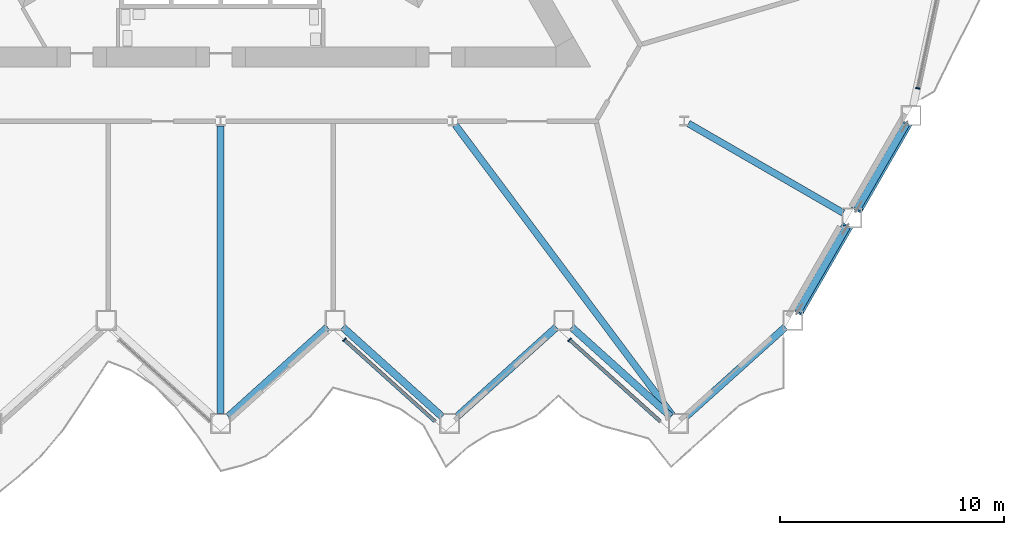
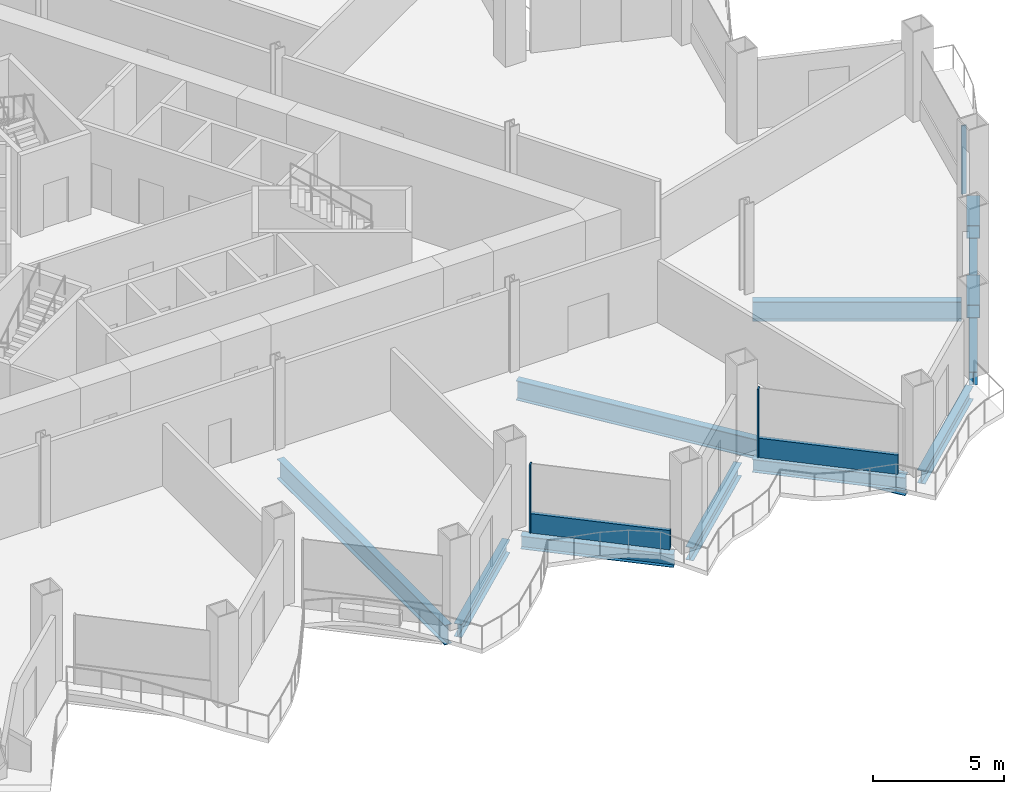
# One storey, part 5 of 21: 10 beams, 7 members, 3 elements without a shape of their own.
"""IFC4 building model written with IfcOpenShell, lengths in metres."""

from ifc_helpers import new_model, si_unit, direction, frame, origin, origin_2d, place, context, subcontext, project, spatial, rectangle, hollow_rectangle, i_section, extrude, material, layer, layer_set, material_profile, profile_set, type_object, element, aggregate, save


model = new_model("IFC4")

# Units and contexts
model_context = context("Model", 3, precision=1e-05, world=origin(), true_north=direction((0.0, 1.0)))
body_context = subcontext(model_context, "Body", "Model", "MODEL_VIEW")
ifc_project = project(units=[si_unit("LENGTHUNIT", "METRE"), si_unit("AREAUNIT", "SQUARE_METRE"), si_unit("VOLUMEUNIT", "CUBIC_METRE"), si_unit("PLANEANGLEUNIT", "RADIAN"), si_unit("MASSUNIT", "GRAM", prefix="KILO")], contexts=[model_context])

# Site, building, storey
site_placement = place(None, origin())
site = spatial("IfcSite", under=ifc_project, at=site_placement, CompositionType="ELEMENT")
building_placement = place(site_placement, origin())
building = spatial("IfcBuilding", under=site, at=building_placement, Name="Cormorant Prow Tower", CompositionType="ELEMENT")
storey_placement = place(building_placement, frame((0.0, 0.0, 120.60009765625)))
storey = spatial("IfcBuildingStorey", under=building, at=storey_placement, Name="L25", CompositionType="ELEMENT", Elevation=120.60009765625)

# Members
ifc_material_1 = material(Name="Structural steel ASTM A500 Gr C", Category="steel")
ifc_material_profile_1 = material_profile(ifc_material_1, hollow_rectangle(XDim=0.508056640625, YDim=0.508056640625, WallThickness=0.014892578125, at=origin_2d()), Name="HSS20x20x5/8")
ifc_profile_set_1 = profile_set([ifc_material_profile_1], Name="Structural steel ASTM A500 Gr C")
member_type_1 = type_object("IfcMemberType", Name="Chamfer brace HSS20x20x5/8", PredefinedType="BRACE", material=ifc_profile_set_1)
for number, where, z_axis, x_axis, name in (
    (1, (27.900634765625, -16.648681640625, 0.7763671875), (-0.467775966243, -0.810228448064, 0.353150828052), (0.866029868417, -0.499992266949, 0.0), "Chamfer brace BR1 at ESE00 L25"),
    (2, (30.535400390625, -12.0849609375, 0.7763671875), (-0.467775966243, -0.810228448064, 0.353150828052), (0.866029868417, -0.499992266949, 0.0), "Chamfer brace BR1 at ESE01 L25"),
):
    element("IfcMember", number, at=place(storey_placement, frame(where, z_axis=z_axis, x_axis=x_axis)), inside=storey, type_object=member_type_1, Name=name, PredefinedType="BRACE", context=body_context, shape_type="SweptSolid", body=[
        extrude(hollow_rectangle(XDim=0.508056640625, YDim=0.508056640625, WallThickness=0.014892578125, at=origin_2d()), origin(), (0.0, 0.0, 1.0), 4.632568359375),
    ])

# Curtain wall, member
ifc_material_2 = material(Name="Aluminium 6063-T6", Category="aluminium")
ifc_layer = layer(ifc_material_2, 0.199951171875)
ifc_layer_set = layer_set([ifc_layer], Name="Aluminium 6063-T6")
curtain_wall_type = type_object("IfcCurtainWallType", Name="Office unitised curtain wall 200", PredefinedType="NOTDEFINED", material=ifc_layer_set)
curtain_wall_1_placement = place(storey_placement, origin())
curtain_wall_1 = element("IfcCurtainWall", 3, at=curtain_wall_1_placement, inside=storey, type_object=curtain_wall_type, Name="Office curtain wall S06", PredefinedType="NOTDEFINED")
ifc_material_3 = material(Name="Aluminium 6063-T6", Category="aluminium")
ifc_material_profile_2 = material_profile(ifc_material_3, rectangle(XDim=0.199951171875, YDim=0.06005859375, at=origin_2d()), Name="Office mullion 60x200")
ifc_profile_set_2 = profile_set([ifc_material_profile_2], Name="Aluminium 6063-T6")
member_type_2 = type_object("IfcMemberType", Name="Office mullion 60x200", PredefinedType="MULLION", material=ifc_profile_set_2)
member_1_placement = place(storey_placement, frame((5.512939453125, -21.671142578125, 0.0), z_axis=(0.0, 0.0, 1.0), x_axis=(0.669130597526, 0.74314483343, 0.0)))
member_1 = element("IfcMember", 4, at=member_1_placement, type_object=member_type_2, Name="Office mullion S06", PredefinedType="MULLION", context=body_context, shape_type="SweptSolid", body=[
    extrude(rectangle(XDim=0.199951171875, YDim=0.06005859375, at=origin_2d()), origin(), (0.0, 0.0, 1.0), 3.188720703125),
])

curtain_wall_2_placement = place(storey_placement, origin())
curtain_wall_2 = element("IfcCurtainWall", 5, at=curtain_wall_2_placement, inside=storey, type_object=curtain_wall_type, Name="Office curtain wall S08", PredefinedType="NOTDEFINED")
member_2_placement = place(storey_placement, frame((15.549072265625, -21.671142578125, 0.0), z_axis=(0.0, 0.0, 1.0), x_axis=(0.669130597526, 0.74314483343, 0.0)))
member_2 = element("IfcMember", 6, at=member_2_placement, type_object=member_type_2, Name="Office mullion S08", PredefinedType="MULLION", context=body_context, shape_type="SweptSolid", body=[
    extrude(rectangle(XDim=0.199951171875, YDim=0.06005859375, at=origin_2d()), origin(), (0.0, 0.0, 1.0), 3.188720703125),
])

curtain_wall_3_placement = place(storey_placement, origin())
curtain_wall_3 = element("IfcCurtainWall", 7, at=curtain_wall_3_placement, inside=storey, type_object=curtain_wall_type, Name="Office curtain wall ENE00", PredefinedType="NOTDEFINED")
member_3_placement = place(storey_placement, frame((31.0654296875, -10.464599609375, 0.0), z_axis=(0.0, 0.0, 1.0), x_axis=(-0.978147610002, 0.207911647216, 0.0)))
member_3 = element("IfcMember", 8, at=member_3_placement, type_object=member_type_2, Name="Office mullion ENE00", PredefinedType="MULLION", context=body_context, shape_type="SweptSolid", body=[
    extrude(rectangle(XDim=0.199951171875, YDim=0.06005859375, at=origin_2d()), origin(), (0.0, 0.0, 1.0), 3.188720703125),
])
aggregate(curtain_wall_3, [member_3])

# Member
ifc_material_4 = material(Name="Terracotta", Category="masonry")
ifc_material_profile_3 = material_profile(ifc_material_4, rectangle(XDim=0.159912109375, YDim=0.89990234375, at=origin_2d()), Name="Office terracotta spandrel rail 160x900")
ifc_profile_set_3 = profile_set([ifc_material_profile_3], Name="Terracotta")
member_type_3 = type_object("IfcMemberType", Name="Office terracotta spandrel rail 160x900", PredefinedType="USERDEFINED", material=ifc_profile_set_3)
member_4_placement = place(storey_placement, frame((5.53515625, -21.691162109375, 0.449951171875), z_axis=(0.743159757815, -0.669114021946, 0.0), x_axis=(0.669114021946, 0.743159757815, 0.0)))
member_4 = element("IfcMember", 9, at=member_4_placement, type_object=member_type_3, Name="Office spandrel rail S06", ObjectType="TRANSOM", PredefinedType="USERDEFINED", context=body_context, shape_type="SweptSolid", body=[
    extrude(rectangle(XDim=0.159912109375, YDim=0.89990234375, at=origin_2d()), origin(), (0.0, 0.0, 1.0), 5.42041015625),
])

aggregate(curtain_wall_1, [member_1, member_4])

member_5_placement = place(storey_placement, frame((15.5712890625, -21.691162109375, 0.449951171875), z_axis=(0.743159757815, -0.669114021946, 0.0), x_axis=(0.669114021946, 0.743159757815, 0.0)))
member_5 = element("IfcMember", 10, at=member_5_placement, type_object=member_type_3, Name="Office spandrel rail S08", ObjectType="TRANSOM", PredefinedType="USERDEFINED", context=body_context, shape_type="SweptSolid", body=[
    extrude(rectangle(XDim=0.159912109375, YDim=0.89990234375, at=origin_2d()), origin(), (0.0, 0.0, 1.0), 5.42041015625),
])

aggregate(curtain_wall_2, [member_2, member_5])

# Beams
ifc_material_5 = material(Name="Structural steel ASTM A992 Gr 50", Category="steel")
ifc_material_profile_4 = material_profile(ifc_material_5, i_section(OverallWidth=0.3046875, OverallDepth=0.914794921875, WebThickness=0.0166015625, FlangeThickness=0.02587890625, at=origin_2d()), Name="W36x160")
ifc_profile_set_4 = profile_set([ifc_material_profile_4], Name="Structural steel ASTM A992 Gr 50")
beam_type_1 = type_object("IfcBeamType", Name="Radial floor beam W36x160", PredefinedType="BEAM", material=ifc_profile_set_4)
beam_1_placement = place(storey_placement, frame((0.0, -12.143798828125, -0.857421875), z_axis=(0.0, -1.0, 0.0), x_axis=(1.0, 0.0, 0.0)))
element("IfcBeam", 11, at=beam_1_placement, inside=storey, type_object=beam_type_1, Name="Radial floor beam FB1 7 L25", PredefinedType="BEAM", context=body_context, shape_type="SweptSolid", body=[
    extrude(i_section(OverallWidth=0.3046875, OverallDepth=0.914794921875, WebThickness=0.0166015625, FlangeThickness=0.02587890625, at=origin_2d()), origin(), (0.0, 0.0, 1.0), 12.805419921875),
])
beam_2_placement = place(storey_placement, frame((10.458740234375, -12.100341796875, -0.857421875), z_axis=(0.598722444929, -0.800956574315, 0.0), x_axis=(0.800956574315, 0.598722444929, 0.0)))
element("IfcBeam", 12, at=beam_2_placement, inside=storey, type_object=beam_type_1, Name="Radial floor beam FB1 8 L25", PredefinedType="BEAM", context=body_context, shape_type="SweptSolid", body=[
    extrude(i_section(OverallWidth=0.3046875, OverallDepth=0.914794921875, WebThickness=0.0166015625, FlangeThickness=0.02587890625, at=origin_2d()), origin(), (0.0, 0.0, 1.0), 16.15380859375),
])
beam_3_placement = place(storey_placement, frame((20.84521484375, -12.034912109375, -0.857421875), z_axis=(0.866018715534, -0.50001158421, 0.0), x_axis=(0.50001158421, 0.866018715534, 0.0)))
element("IfcBeam", 13, at=beam_3_placement, inside=storey, type_object=beam_type_1, Name="Radial floor beam FB1 9 L25", PredefinedType="BEAM", context=body_context, shape_type="SweptSolid", body=[
    extrude(i_section(OverallWidth=0.3046875, OverallDepth=0.914794921875, WebThickness=0.0166015625, FlangeThickness=0.02587890625, at=origin_2d()), origin(), (0.0, 0.0, 1.0), 7.967041015625),
])
ifc_material_6 = material(Name="Structural steel ASTM A992 Gr 50", Category="steel")
ifc_material_profile_5 = material_profile(ifc_material_6, i_section(OverallWidth=0.32373046875, OverallDepth=0.611083984375, WebThickness=0.0126953125, FlangeThickness=0.01904296875, at=origin_2d()), Name="W24x104")
ifc_profile_set_5 = profile_set([ifc_material_profile_5], Name="Structural steel ASTM A992 Gr 50")
beam_type_2 = type_object("IfcBeamType", Name="Spandrel beam W24x104", PredefinedType="SPANDREL", material=ifc_profile_set_5)
for number, where, z_axis, x_axis, name in (
    (14, (0.33447265625, -25.09814453125, -0.70556640625), (0.743131253571, 0.66914567918, 0.0), (-0.66914567918, 0.743131253571, 0.0), "Spandrel beam SB1 S05-S06 L25"),
    (15, (5.434326171875, -21.108154296875, -0.70556640625), (0.743131253571, -0.66914567918, 0.0), (0.66914567918, 0.743131253571, 0.0), "Spandrel beam SB1 S06-S07 L25"),
    (16, (10.5341796875, -25.09814453125, -0.70556640625), (0.743131253571, 0.66914567918, 0.0), (-0.66914567918, 0.743131253571, 0.0), "Spandrel beam SB1 S07-S08 L25"),
    (17, (15.63427734375, -21.108154296875, -0.70556640625), (0.743131253571, -0.66914567918, 0.0), (0.66914567918, 0.743131253571, 0.0), "Spandrel beam SB1 S08-S09 L25"),
    (18, (20.734130859375, -25.09814453125, -0.70556640625), (0.743131253571, 0.66914567918, 0.0), (-0.66914567918, 0.743131253571, 0.0), "Spandrel beam SB1 S09-ESE00 L25"),
):
    element("IfcBeam", number, at=place(storey_placement, frame(where, z_axis=z_axis, x_axis=x_axis)), inside=storey, type_object=beam_type_2, Name=name, PredefinedType="SPANDREL", context=body_context, shape_type="SweptSolid", body=[
        extrude(i_section(OverallWidth=0.32373046875, OverallDepth=0.611083984375, WebThickness=0.0126953125, FlangeThickness=0.01904296875, at=origin_2d()), origin(), (0.0, 0.0, 1.0), 5.962890625),
    ])
for number, where, z_axis, x_axis, name in (
    (19, (25.724609375, -20.41748046875, -0.70556640625), (0.500002967982, 0.866023690213, 0.0), (-0.866023690213, 0.500002967982, 0.0), "Spandrel beam SB1 ESE00-ESE01 L25"),
    (20, (28.359619140625, -15.853759765625, -0.70556640625), (0.500002967982, 0.866023690213, 0.0), (-0.866023690213, 0.500002967982, 0.0), "Spandrel beam SB1 ESE01-ENE00 L25"),
):
    element("IfcBeam", number, at=place(storey_placement, frame(where, z_axis=z_axis, x_axis=x_axis)), inside=storey, type_object=beam_type_2, Name=name, PredefinedType="SPANDREL", context=body_context, shape_type="SweptSolid", body=[
        extrude(i_section(OverallWidth=0.32373046875, OverallDepth=0.611083984375, WebThickness=0.0126953125, FlangeThickness=0.01904296875, at=origin_2d()), origin(), (0.0, 0.0, 1.0), 4.36962890625),
    ])

save(model, "model.ifc")
